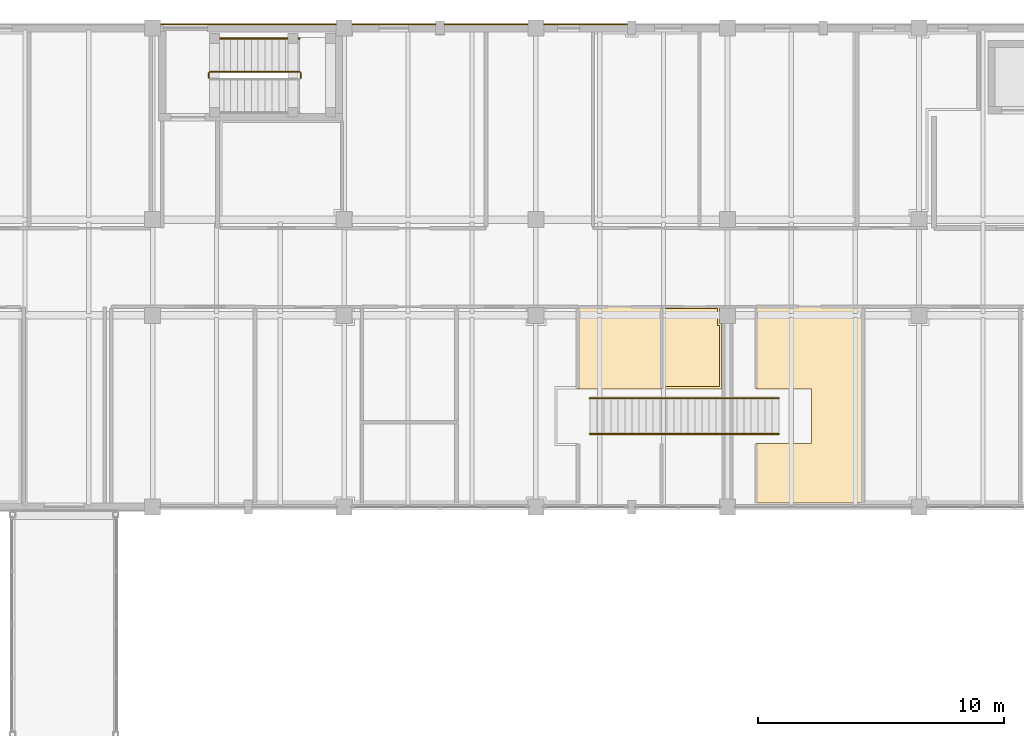
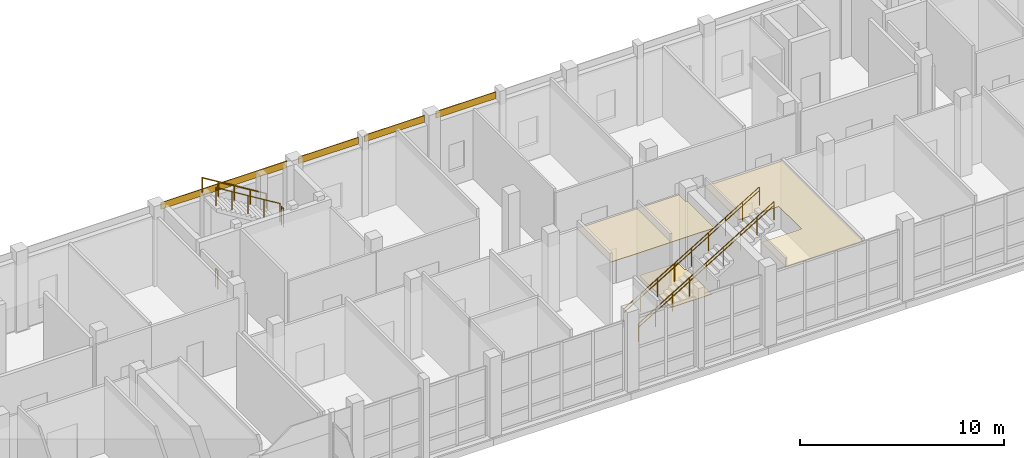
# One storey, part 124 of 131: 8 coverings, 8 railings.
"""IFC4 building model written with IfcOpenShell, lengths in metres."""

from ifc_helpers import new_model, si_unit, direction, frame, origin, origin_2d, place, context, subcontext, project, spatial, polyline, rectangle, circle, outline, extrude, material, layer, layer_set, type_object, element, save


model = new_model("IFC4")

# Units and contexts
model_context = context("Model", 3, precision=1e-05, world=origin(), true_north=direction((0.0, 1.0)))
body_context = subcontext(model_context, "Body", "Model", "MODEL_VIEW")
ifc_project = project(units=[si_unit("LENGTHUNIT", "METRE"), si_unit("AREAUNIT", "SQUARE_METRE"), si_unit("VOLUMEUNIT", "CUBIC_METRE"), si_unit("PLANEANGLEUNIT", "RADIAN"), si_unit("MASSUNIT", "GRAM", prefix="KILO")], contexts=[model_context])

# Site, building, storey
site_placement = place(None, origin())
site = spatial("IfcSite", under=ifc_project, at=site_placement, CompositionType="ELEMENT")
building_placement = place(site_placement, origin())
building = spatial("IfcBuilding", under=site, at=building_placement, Name="Celorna Specialist Clinic", CompositionType="ELEMENT")
storey_placement = place(building_placement, origin())
storey = spatial("IfcBuildingStorey", under=building, at=storey_placement, Name="L00", CompositionType="ELEMENT", Elevation=0.0)

# Railings
ifc_material_1 = material(Name="Stainless steel and laminated glass balustrade", Category="steel")
railing_type_1 = type_object("IfcRailingType", Name="BL-01", PredefinedType="BALUSTRADE", material=ifc_material_1)
for number, where, name in (
    (1, (95.800048828125, 99.47509765625, 0.17138671875), "Feature stair ST-16 balustrade"),
    (2, (95.800048828125, 100.925048828125, 0.17138671875), "Feature stair ST-16 balustrade"),
):
    element("IfcRailing", number, at=place(storey_placement, frame(where)), inside=storey, type_object=railing_type_1, Name=name, PredefinedType="BALUSTRADE", context=body_context, shape_type="SweptSolid", body=[
        extrude(circle(Radius=0.02392578125, at=origin_2d()), frame((0.0, 0.0, 1.09619140625), z_axis=(0.856921461139, 0.0, 0.515446999642), x_axis=(0.0, 1.0, 0.0)), (0.0, 0.0, 1.0), 8.97998046875),
        extrude(circle(Radius=0.02099609375, at=origin_2d()), origin(), (0.0, 0.0, 1.0), 1.072021484375),
        extrude(circle(Radius=0.02099609375, at=origin_2d()), frame((0.9619140625, 0.0, 0.57861328125)), (0.0, 0.0, 1.0), 1.072021484375),
        extrude(circle(Radius=0.02099609375, at=origin_2d()), frame((1.923828125, 0.0, 1.1572265625)), (0.0, 0.0, 1.0), 1.072021484375),
        extrude(circle(Radius=0.02099609375, at=origin_2d()), frame((2.8857421875, 0.0, 1.73583984375)), (0.0, 0.0, 1.0), 1.072021484375),
        extrude(circle(Radius=0.02099609375, at=origin_2d()), frame((3.84765625, 0.0, 2.314453125)), (0.0, 0.0, 1.0), 1.072021484375),
        extrude(circle(Radius=0.02099609375, at=origin_2d()), frame((4.809326171875, 0.0, 2.892822265625)), (0.0, 0.0, 1.0), 1.072021484375),
        extrude(circle(Radius=0.02099609375, at=origin_2d()), frame((5.771240234375, 0.0, 3.471435546875)), (0.0, 0.0, 1.0), 1.072021484375),
        extrude(circle(Radius=0.02099609375, at=origin_2d()), frame((6.733154296875, 0.0, 4.050048828125)), (0.0, 0.0, 1.0), 1.072021484375),
        extrude(circle(Radius=0.02099609375, at=origin_2d()), frame((7.695068359375, 0.0, 4.628662109375)), (0.0, 0.0, 1.0), 1.072021484375),
    ])

# Coverings
ifc_material_2 = material(Name="Hygienic acoustic mineral-fibre ceiling")
ifc_layer_1 = layer(ifc_material_2, 0.030029296875, Name="Hygienic acoustic mineral-fibre ceiling")
ifc_layer_set_1 = layer_set([ifc_layer_1], Name="Hygienic acoustic mineral-fibre ceiling")
covering_type_1 = type_object("IfcCoveringType", Name="CE-01", PredefinedType="CEILING", material=ifc_layer_set_1)
covering_1_placement = place(storey_placement, frame((0.0, 0.0, 3.989990234375)))
element("IfcCovering", 3, at=covering_1_placement, inside=storey, type_object=covering_type_1, Name="Acoustic ceiling L00-059", PredefinedType="CEILING", context=body_context, shape_type="SweptSolid", body=[
    extrude(outline(polyline([(98.735107421875, 101.31005859375), (95.304931640625, 101.31005859375), (95.304931640625, 104.6650390625), (98.735107421875, 104.6650390625), (98.735107421875, 101.31005859375)])), origin(), (0.0, 0.0, 1.0), 0.030029296875),
])
covering_2_placement = place(storey_placement, frame((0.0, 0.0, 3.989990234375)))
element("IfcCovering", 4, at=covering_2_placement, inside=storey, type_object=covering_type_1, Name="Acoustic ceiling L00-060", PredefinedType="CEILING", context=body_context, shape_type="SweptSolid", body=[
    extrude(outline(polyline([(101.1650390625, 101.31005859375), (98.705078125, 101.31005859375), (98.705078125, 104.6650390625), (101.080078125, 104.6650390625), (101.080078125, 104.6298828125), (101.070068359375, 104.6298828125), (101.070068359375, 103.969970703125), (101.1650390625, 103.969970703125), (101.1650390625, 101.31005859375)])), origin(), (0.0, 0.0, 1.0), 0.030029296875),
])
covering_3_placement = place(storey_placement, frame((0.0, 0.0, 3.989990234375)))
element("IfcCovering", 5, at=covering_3_placement, inside=storey, type_object=covering_type_1, Name="Acoustic ceiling L00-061", PredefinedType="CEILING", context=body_context, shape_type="SweptSolid", body=[
    extrude(outline(polyline([(106.93505859375, 96.655029296875), (102.554931640625, 96.655029296875), (102.554931640625, 99.090087890625), (104.830078125, 99.090087890625), (104.830078125, 101.31005859375), (102.554931640625, 101.31005859375), (102.554931640625, 104.6650390625), (106.93505859375, 104.6650390625), (106.93505859375, 96.655029296875)])), origin(), (0.0, 0.0, 1.0), 0.030029296875),
])
ifc_material_3 = material(Name="Pero Pinheiro Lioz limestone rainscreen cladding", Category="masonry")
ifc_layer_2 = layer(ifc_material_3, 0.044921875, Name="Pero Pinheiro Lioz limestone rainscreen cladding")
ifc_layer_set_2 = layer_set([ifc_layer_2], Name="Pero Pinheiro Lioz limestone rainscreen cladding")
covering_type_2 = type_object("IfcCoveringType", Name="CL-01", PredefinedType="CLADDING", material=ifc_layer_set_2)
covering_4_placement = place(storey_placement, frame((81.89990234375, 116.1474609375, 4.14013671875), z_axis=(0.0, 0.0, 1.0), x_axis=(1.0, 0.0, 0.0)))
element("IfcCovering", 6, at=covering_4_placement, inside=storey, type_object=covering_type_2, Name="Lioz spandrel cladding #166", PredefinedType="CLADDING", context=body_context, shape_type="SweptSolid", body=[
    extrude(rectangle(XDim=7.14990234375, YDim=0.044921875, at=origin_2d()), origin(), (0.0, 0.0, 1.0), 0.39990234375),
])
for number, where, z_axis, x_axis, name in (
    (7, (87.824951171875, 116.1474609375, 4.14013671875), (0.0, 0.0, 1.0), (1.0, 0.0, 0.0), "Lioz spandrel cladding #167"),
    (8, (91.574951171875, 116.1474609375, 4.14013671875), (0.0, 0.0, 1.0), (1.0, 0.0, 0.0), "Lioz spandrel cladding #168"),
    (9, (95.625, 116.1474609375, 4.14013671875), (0.0, 0.0, 1.0), (1.0, 0.0, 0.0), "Lioz spandrel cladding #169"),
):
    element("IfcCovering", number, at=place(storey_placement, frame(where, z_axis=z_axis, x_axis=x_axis)), inside=storey, type_object=covering_type_2, Name=name, PredefinedType="CLADDING", context=body_context, shape_type="SweptSolid", body=[
        extrude(rectangle(XDim=3.39990234375, YDim=0.044921875, at=origin_2d()), origin(), (0.0, 0.0, 1.0), 0.39990234375),
    ])
ifc_material_4 = material(Name="Seamless antimicrobial clinical vinyl and Lioz terrazzo flooring")
ifc_layer_3 = layer(ifc_material_4, 0.02001953125, Name="Seamless antimicrobial clinical vinyl and Lioz terrazzo flooring")
ifc_layer_set_3 = layer_set([ifc_layer_3], Name="Seamless antimicrobial clinical vinyl and Lioz terrazzo flooring")
covering_type_3 = type_object("IfcCoveringType", Name="FL-01", PredefinedType="FLOORING", material=ifc_layer_set_3)
covering_5_placement = place(storey_placement, origin())
element("IfcCovering", 10, at=covering_5_placement, inside=storey, type_object=covering_type_3, Name="Antimicrobial clinical flooring L00-060", PredefinedType="FLOORING", context=body_context, shape_type="SweptSolid", body=[
    extrude(outline(polyline([(100.989990234375, 104.574951171875), (100.989990234375, 103.889892578125), (101.074951171875, 103.889892578125), (101.074951171875, 101.39990234375), (98.794921875, 101.39990234375), (98.794921875, 104.574951171875), (100.989990234375, 104.574951171875)])), origin(), (0.0, 0.0, 1.0), 0.02001953125),
])

# Railings
ifc_material_5 = material(Name="Powder-coated steel S355", Category="steel")
railing_type_2 = type_object("IfcRailingType", Name="GR-01", PredefinedType="GUARDRAIL", material=ifc_material_5)
railing_1_placement = place(storey_placement, frame((84.030029296875, 113.969970703125, 2.39990234375)))
element("IfcRailing", 11, at=railing_1_placement, inside=storey, type_object=railing_type_2, Name="L00 ST-02 stair guard 2", PredefinedType="GUARDRAIL", context=body_context, shape_type="SweptSolid", body=[
    extrude(circle(Radius=0.02392578125, at=origin_2d()), frame((0.0, 0.0, 1.09619140625), z_axis=(0.0, 1.0, 0.0), x_axis=(-1.0, 0.0, 0.0)), (0.0, 0.0, 1.0), 0.199951171875),
    extrude(circle(Radius=0.02099609375, at=origin_2d()), origin(), (0.0, 0.0, 1.0), 1.072021484375),
    extrude(circle(Radius=0.02099609375, at=origin_2d()), frame((0.0, 0.199951171875, 0.0)), (0.0, 0.0, 1.0), 1.072021484375),
])
railing_2_placement = place(storey_placement, frame((83.97998046875, 114.219970703125, 2.571533203125)))
element("IfcRailing", 12, at=railing_2_placement, inside=storey, type_object=railing_type_2, Name="L00 ST-02 stair guard 3", PredefinedType="GUARDRAIL", context=body_context, shape_type="SweptSolid", body=[
    extrude(circle(Radius=0.02392578125, at=origin_2d()), frame((0.0, 0.0, 1.09619140625), z_axis=(-0.852850264322, 0.0, 0.5221555579), x_axis=(0.0, -1.0, 0.0)), (0.0, 0.0, 1.0), 4.267822265625),
    extrude(circle(Radius=0.02099609375, at=origin_2d()), origin(), (0.0, 0.0, 1.0), 1.072021484375),
    extrude(circle(Radius=0.02099609375, at=origin_2d()), frame((-0.909912109375, 0.0, 0.55712890625)), (0.0, 0.0, 1.0), 1.072021484375),
    extrude(circle(Radius=0.02099609375, at=origin_2d()), frame((-1.81982421875, 0.0, 1.1142578125)), (0.0, 0.0, 1.0), 1.072021484375),
    extrude(circle(Radius=0.02099609375, at=origin_2d()), frame((-2.72998046875, 0.0, 1.67138671875)), (0.0, 0.0, 1.0), 1.072021484375),
    extrude(circle(Radius=0.02099609375, at=origin_2d()), frame((-3.639892578125, 0.0, 2.228515625)), (0.0, 0.0, 1.0), 1.072021484375),
])
railing_3_placement = place(storey_placement, frame((80.2900390625, 113.969970703125, 0.0)))
element("IfcRailing", 13, at=railing_3_placement, inside=storey, type_object=railing_type_2, Name="L00 ST-02 stair guard 4", PredefinedType="GUARDRAIL", context=body_context, shape_type="SweptSolid", body=[
    extrude(circle(Radius=0.02392578125, at=origin_2d()), frame((0.0, 0.0, 1.09619140625), z_axis=(0.0, 1.0, 0.0), x_axis=(-1.0, 0.0, 0.0)), (0.0, 0.0, 1.0), 0.199951171875),
    extrude(circle(Radius=0.02099609375, at=origin_2d()), origin(), (0.0, 0.0, 1.0), 1.072021484375),
    extrude(circle(Radius=0.02099609375, at=origin_2d()), frame((0.0, 0.199951171875, 0.0)), (0.0, 0.0, 1.0), 1.072021484375),
])
ifc_material_6 = material(Name="Brushed stainless steel handrail", Category="steel")
railing_type_3 = type_object("IfcRailingType", Name="HR-01", PredefinedType="HANDRAIL", material=ifc_material_6)
railing_4_placement = place(storey_placement, frame((83.97998046875, 115.570068359375, 2.571533203125)))
element("IfcRailing", 14, at=railing_4_placement, inside=storey, type_object=railing_type_3, Name="L00 ST-02 stair handrail 2", PredefinedType="HANDRAIL", context=body_context, shape_type="SweptSolid", body=[
    extrude(circle(Radius=0.02392578125, at=origin_2d()), frame((0.0, 0.0, 0.8759765625), z_axis=(-0.852850264322, 0.0, 0.5221555579), x_axis=(0.0, -1.0, 0.0)), (0.0, 0.0, 1.0), 4.267822265625),
    extrude(circle(Radius=0.02099609375, at=origin_2d()), origin(), (0.0, 0.0, 1.0), 0.851806640625),
    extrude(circle(Radius=0.02099609375, at=origin_2d()), frame((-0.909912109375, 0.0, 0.55712890625)), (0.0, 0.0, 1.0), 0.851806640625),
    extrude(circle(Radius=0.02099609375, at=origin_2d()), frame((-1.81982421875, 0.0, 1.1142578125)), (0.0, 0.0, 1.0), 0.851806640625),
    extrude(circle(Radius=0.02099609375, at=origin_2d()), frame((-2.72998046875, 0.0, 1.67138671875)), (0.0, 0.0, 1.0), 0.851806640625),
    extrude(circle(Radius=0.02099609375, at=origin_2d()), frame((-3.639892578125, 0.0, 2.228515625)), (0.0, 0.0, 1.0), 0.851806640625),
])
for number, where, name in (
    (15, (95.800048828125, 99.47509765625, 0.17138671875), "Feature stair ST-16 handrail"),
    (16, (95.800048828125, 100.925048828125, 0.17138671875), "Feature stair ST-16 handrail"),
):
    element("IfcRailing", number, at=place(storey_placement, frame(where)), inside=storey, type_object=railing_type_3, Name=name, PredefinedType="HANDRAIL", context=body_context, shape_type="SweptSolid", body=[
        extrude(circle(Radius=0.02392578125, at=origin_2d()), frame((0.0, 0.0, 0.8759765625), z_axis=(0.856921461139, 0.0, 0.515446999642), x_axis=(0.0, 1.0, 0.0)), (0.0, 0.0, 1.0), 8.97998046875),
        extrude(circle(Radius=0.02099609375, at=origin_2d()), origin(), (0.0, 0.0, 1.0), 0.851806640625),
        extrude(circle(Radius=0.02099609375, at=origin_2d()), frame((0.9619140625, 0.0, 0.57861328125)), (0.0, 0.0, 1.0), 0.851806640625),
        extrude(circle(Radius=0.02099609375, at=origin_2d()), frame((1.923828125, 0.0, 1.1572265625)), (0.0, 0.0, 1.0), 0.851806640625),
        extrude(circle(Radius=0.02099609375, at=origin_2d()), frame((2.8857421875, 0.0, 1.73583984375)), (0.0, 0.0, 1.0), 0.851806640625),
        extrude(circle(Radius=0.02099609375, at=origin_2d()), frame((3.84765625, 0.0, 2.314453125)), (0.0, 0.0, 1.0), 0.851806640625),
        extrude(circle(Radius=0.02099609375, at=origin_2d()), frame((4.809326171875, 0.0, 2.892822265625)), (0.0, 0.0, 1.0), 0.851806640625),
        extrude(circle(Radius=0.02099609375, at=origin_2d()), frame((5.771240234375, 0.0, 3.471435546875)), (0.0, 0.0, 1.0), 0.851806640625),
        extrude(circle(Radius=0.02099609375, at=origin_2d()), frame((6.733154296875, 0.0, 4.050048828125)), (0.0, 0.0, 1.0), 0.851806640625),
        extrude(circle(Radius=0.02099609375, at=origin_2d()), frame((7.695068359375, 0.0, 4.628662109375)), (0.0, 0.0, 1.0), 0.851806640625),
    ])

save(model, "model.ifc")
